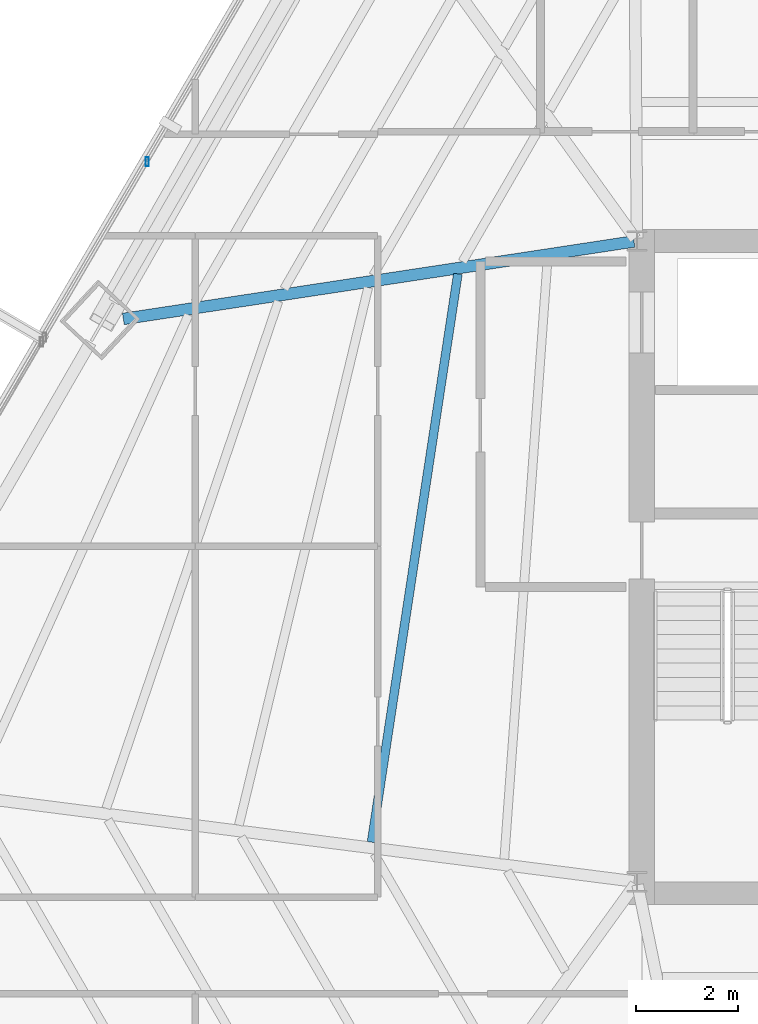
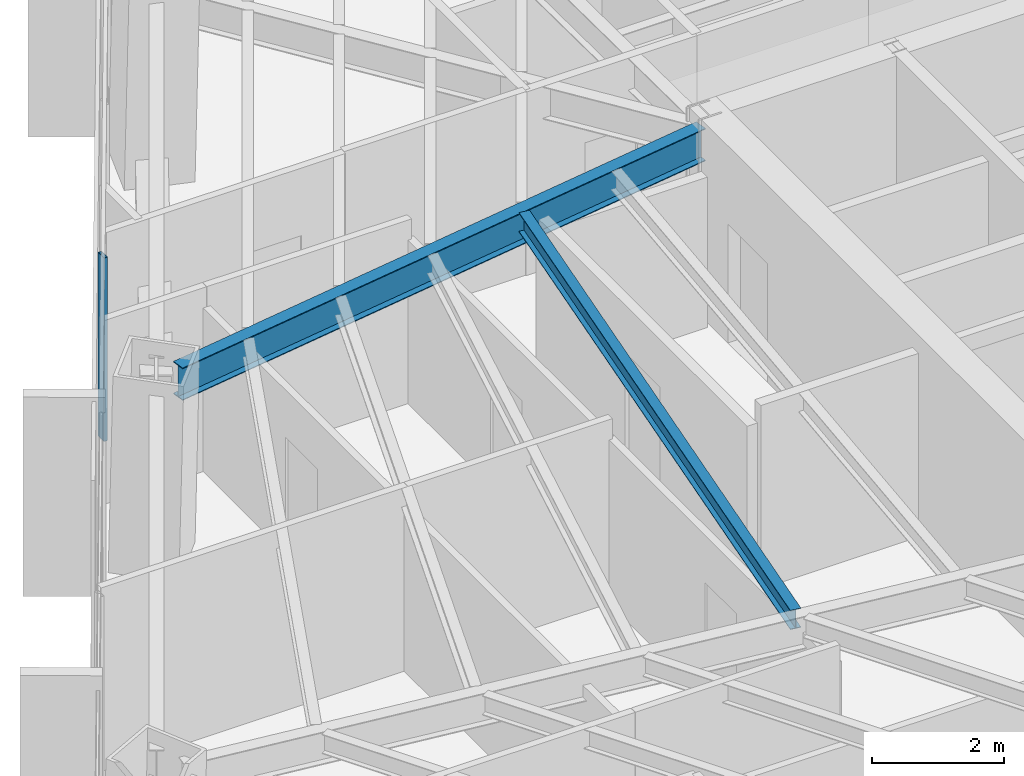
# One storey, part 13 of 35: 2 beams, 1 member, 1 element without a shape of its own.
"""IFC4 building model written with IfcOpenShell, lengths in metres."""

from ifc_helpers import new_model, si_unit, direction, frame, origin, origin_2d, place, context, subcontext, project, spatial, hollow_rectangle, i_section, extrude, source, transform, mapped, material, material_profile, profile_set, type_object, type_shapes, element, aggregate, save


model = new_model("IFC4")

# Units and contexts
model_context = context("Model", 3, precision=1e-05, world=origin(), true_north=direction((0.0, 1.0)))
body_context = subcontext(model_context, "Body", "Model", "MODEL_VIEW")
ifc_project = project(units=[si_unit("LENGTHUNIT", "METRE"), si_unit("AREAUNIT", "SQUARE_METRE"), si_unit("VOLUMEUNIT", "CUBIC_METRE"), si_unit("PLANEANGLEUNIT", "RADIAN"), si_unit("MASSUNIT", "GRAM", prefix="KILO")], contexts=[model_context])

# Site, building, storey
site_placement = place(None, origin())
site = spatial("IfcSite", under=ifc_project, at=site_placement, CompositionType="ELEMENT")
building_placement = place(site_placement, origin())
building = spatial("IfcBuilding", under=site, at=building_placement, Name="Caelisora Broadcast Tower", CompositionType="ELEMENT")
storey_placement = place(building_placement, frame((0.0, 0.0, 94.449951171875)))
storey = spatial("IfcBuildingStorey", under=building, at=storey_placement, Name="L24", CompositionType="ELEMENT", Elevation=94.449951171875)

# Beams
ifc_material_1 = material(Name="Steel Grade 350 (AS/NZS 3679.1)", Category="steel")
ifc_material_profile_1 = material_profile(ifc_material_1, i_section(OverallWidth=0.22802734375, OverallDepth=0.602294921875, WebThickness=0.010498046875, FlangeThickness=0.014892578125, at=origin_2d()), Name="Steel Grade 350 (AS/NZS 3679.1)")
ifc_profile_set_1 = profile_set([ifc_material_profile_1], Name="Steel Grade 350 (AS/NZS 3679.1)")
beam_type_1 = type_object("IfcBeamType", Name="PG04", PredefinedType="BEAM", material=ifc_profile_set_1)
shared_shape_1 = source(origin(), body_context, "Body", "SweptSolid", [
    extrude(i_section(OverallWidth=0.22802734375, OverallDepth=0.602294921875, WebThickness=0.010498046875, FlangeThickness=0.014892578125, at=origin_2d()), origin(), (0.0, 0.0, 1.0), 10.15576171875),
])
type_shapes(beam_type_1, [shared_shape_1])
beam_1_placement = place(storey_placement, frame((30.440673828125, 29.990966796875, 3.098876953125), z_axis=(-0.988674033814, -0.150078828825, 0.0), x_axis=(0.150078828825, -0.988674033814, 0.0)))
element("IfcBeam", 1, at=beam_1_placement, inside=storey, type_object=beam_type_1, Name="L24 beam PG04", PredefinedType="BEAM", context=body_context, shape_type="MappedRepresentation", body=[
    mapped(shared_shape_1, transform((0.0, 0.0, 0.0), scale=1.0)),
])
ifc_material_profile_2 = material_profile(ifc_material_1, i_section(OverallWidth=0.172119140625, OverallDepth=0.358642578125, WebThickness=0.008056640625, FlangeThickness=0.012939453125, at=origin_2d()), Name="Steel Grade 350 (AS/NZS 3679.1)")
ifc_profile_set_2 = profile_set([ifc_material_profile_2], Name="Steel Grade 350 (AS/NZS 3679.1)")
beam_type_2 = type_object("IfcBeamType", Name="SB02", PredefinedType="JOIST", material=ifc_profile_set_2)
shared_shape_2 = source(origin(), body_context, "Body", "SweptSolid", [
    extrude(i_section(OverallWidth=0.172119140625, OverallDepth=0.358642578125, WebThickness=0.008056640625, FlangeThickness=0.012939453125, at=origin_2d()), origin(), (0.0, 0.0, 1.0), 11.302001953125),
])
type_shapes(beam_type_2, [shared_shape_2])
beam_2_placement = place(storey_placement, frame((26.977294921875, 29.352783203125, 3.220703125), z_axis=(-0.150152838194, -0.9886627965, 0.0), x_axis=(0.9886627965, -0.150152838194, 0.0)))
element("IfcBeam", 2, at=beam_2_placement, inside=storey, type_object=beam_type_2, Name="L24 beam SB02", PredefinedType="JOIST", context=body_context, shape_type="MappedRepresentation", body=[
    mapped(shared_shape_2, transform((0.0, 0.0, 0.0), scale=1.0)),
])

# Curtain wall, member
ifc_material_2 = material(Name="Unitised Aluminium Insulated Shadow-Box Spandrel Curtain Wall", Category="aluminium")
curtain_wall_type = type_object("IfcCurtainWallType", Name="CW-SP1", PredefinedType="NOTDEFINED", material=ifc_material_2)
curtain_wall_placement = place(storey_placement, origin())
curtain_wall = element("IfcCurtainWall", 3, at=curtain_wall_placement, inside=storey, type_object=curtain_wall_type, Name="L24 curtain wall CW-SP1", PredefinedType="NOTDEFINED")
ifc_material_3 = material(Name="Aluminium 6063-T6 Anodised Terracotta Bronze", Category="aluminium")
ifc_material_profile_3 = material_profile(ifc_material_3, hollow_rectangle(XDim=0.06494140625, YDim=0.179931640625, WallThickness=0.00341796875, at=origin_2d()), Name="Aluminium 6063-T6 Anodised Terracotta Bronze")
ifc_profile_set_3 = profile_set([ifc_material_profile_3], Name="Aluminium 6063-T6 Anodised Terracotta Bronze")
member_type = type_object("IfcMemberType", Name="CWM-02", PredefinedType="MULLION", material=ifc_profile_set_3)
shared_shape_3 = source(origin(), body_context, "Body", "SweptSolid", [
    extrude(hollow_rectangle(XDim=0.06494140625, YDim=0.179931640625, WallThickness=0.00341796875, at=origin_2d()), origin(), (0.0, 0.0, 1.0), 3.400146484375),
])
type_shapes(member_type, [shared_shape_3])
member_placement = place(storey_placement, frame((20.869140625, 31.55859375, 0.0), z_axis=(0.0, 0.0, 1.0), x_axis=(1.0, 0.0, 0.0)))
member = element("IfcMember", 4, at=member_placement, type_object=member_type, Name="L24-CW-B10 mullion #1", PredefinedType="MULLION", context=body_context, shape_type="MappedRepresentation", body=[
    mapped(shared_shape_3, transform((0.0, 0.0, 0.0), scale=1.0)),
])
aggregate(curtain_wall, [member])

save(model, "model.ifc")
